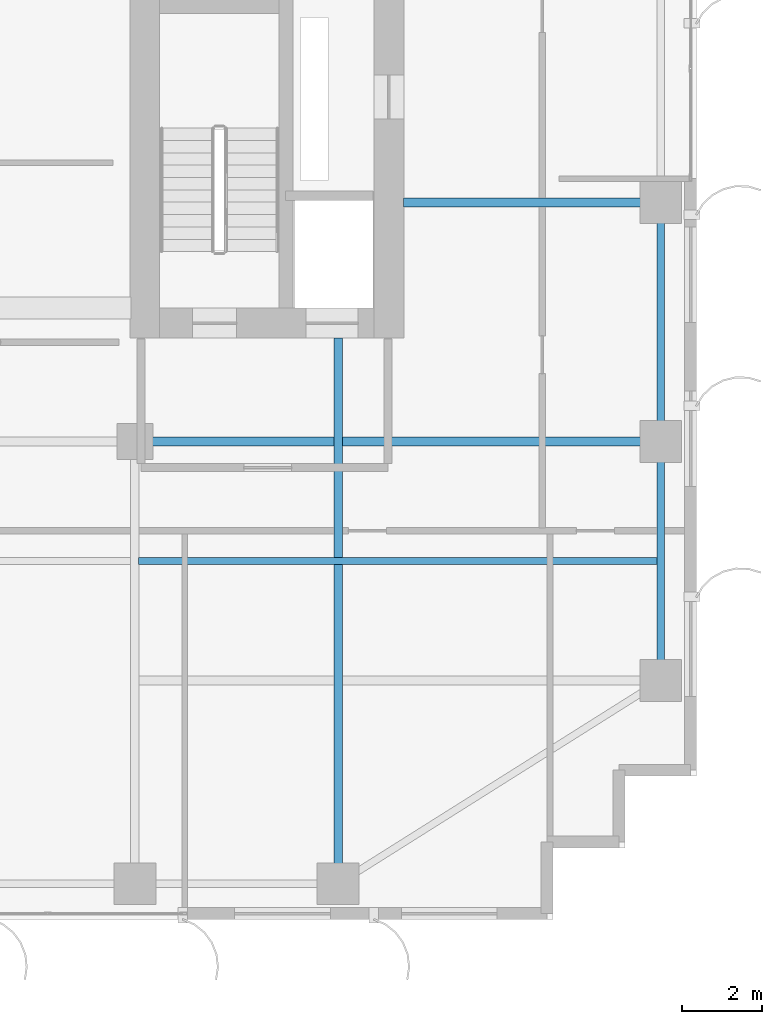
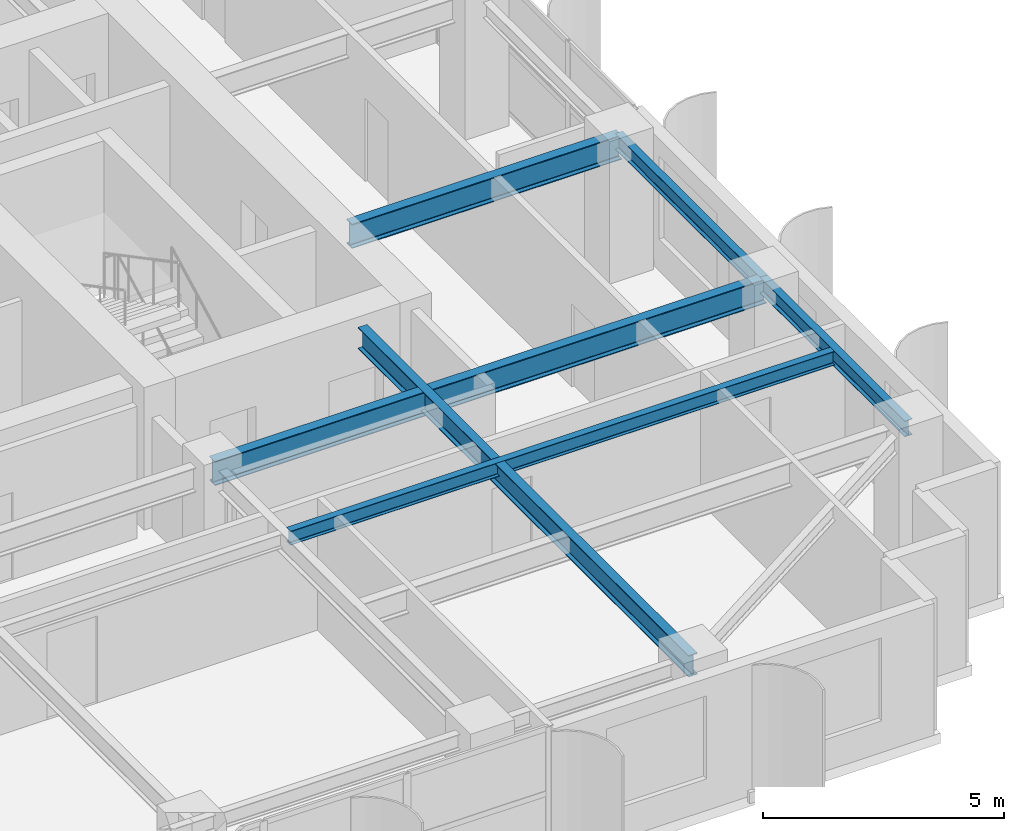
# One storey, part 10 of 26: 6 beams.
"""IFC4 building model written with IfcOpenShell, lengths in metres."""

from ifc_helpers import new_model, si_unit, direction, frame, origin, origin_2d, place, context, subcontext, project, spatial, i_section, extrude, source, transform, mapped, material, material_profile, profile_set, type_object, element, save


model = new_model("IFC4")

# Units and contexts
model_context = context("Model", 3, precision=1e-05, world=origin(), true_north=direction((0.0, 1.0)))
body_context = subcontext(model_context, "Body", "Model", "MODEL_VIEW")
ifc_project = project(units=[si_unit("LENGTHUNIT", "METRE"), si_unit("AREAUNIT", "SQUARE_METRE"), si_unit("VOLUMEUNIT", "CUBIC_METRE"), si_unit("PLANEANGLEUNIT", "RADIAN"), si_unit("MASSUNIT", "GRAM", prefix="KILO")], contexts=[model_context])

# Site, building, storey
site_placement = place(None, origin())
site = spatial("IfcSite", under=ifc_project, at=site_placement, CompositionType="ELEMENT")
building_placement = place(site_placement, origin())
building = spatial("IfcBuilding", under=site, at=building_placement, Name="Khoralis Quay Care Tower", CompositionType="ELEMENT")
storey_placement = place(building_placement, frame((0.0, 0.0, 126.89990234375)))
storey = spatial("IfcBuildingStorey", under=building, at=storey_placement, Name="L33", CompositionType="ELEMENT", Elevation=126.89990234375)

# Beams
ifc_material = material(Name="Steel S355", Category="steel")
ifc_material_profile_1 = material_profile(ifc_material, i_section(OverallWidth=0.179931640625, OverallDepth=0.39990234375, WebThickness=0.008544921875, FlangeThickness=0.013427734375, FilletRadius=0.02099609375, at=origin_2d()), Name="Steel S355")
ifc_profile_set_1 = profile_set([ifc_material_profile_1], Name="Steel S355")
beam_type_1 = type_object("IfcBeamType", Name="BM-IPE400", PredefinedType="SPANDREL", material=ifc_profile_set_1)
shared_shape_1 = source(origin(), body_context, "Body", "SweptSolid", [
    extrude(i_section(OverallWidth=0.179931640625, OverallDepth=0.39990234375, WebThickness=0.008544921875, FlangeThickness=0.013427734375, FilletRadius=0.02099609375, at=origin_2d()), origin(), (0.0, 0.0, 1.0), 6.0),
])
for number, where, z_axis, x_axis, name in (
    (1, (44.10009765625, 6.0, 3.14013671875), (0.0, 1.0, 0.0), (-1.0, 0.0, 0.0), "BM-TSP-L33-16"),
    (2, (44.10009765625, 12.0, 3.14013671875), (0.0, 1.0, 0.0), (-1.0, 0.0, 0.0), "BM-TSP-L33-17"),
):
    element("IfcBeam", number, at=place(storey_placement, frame(where, z_axis=z_axis, x_axis=x_axis)), inside=storey, type_object=beam_type_1, Name=name, PredefinedType="SPANDREL", context=body_context, shape_type="MappedRepresentation", body=[
        mapped(shared_shape_1, transform((0.0, 0.0, 0.0), scale=1.0)),
    ])
ifc_material_profile_2 = material_profile(ifc_material, i_section(OverallWidth=0.22998046875, OverallDepth=0.616943359375, WebThickness=0.01318359375, FlangeThickness=0.022216796875, FilletRadius=0.01806640625, at=origin_2d()), Name="Steel S355")
ifc_profile_set_2 = profile_set([ifc_material_profile_2], Name="Steel S355")
beam_type_2 = type_object("IfcBeamType", Name="BM-W610X140", PredefinedType="BEAM", material=ifc_profile_set_2)
shared_shape_2 = source(origin(), body_context, "Body", "SweptSolid", [
    extrude(i_section(OverallWidth=0.22998046875, OverallDepth=0.616943359375, WebThickness=0.01318359375, FlangeThickness=0.022216796875, FilletRadius=0.01806640625, at=origin_2d()), origin(), (0.0, 0.0, 1.0), 13.2001953125),
])
beam_1_placement = place(storey_placement, frame((30.89990234375, 12.0, 3.031494140625), z_axis=(1.0, 0.0, 0.0), x_axis=(0.0, 1.0, 0.0)))
element("IfcBeam", 3, at=beam_1_placement, inside=storey, type_object=beam_type_2, Name="BM-TGXE-L33-120", PredefinedType="BEAM", context=body_context, shape_type="MappedRepresentation", body=[
    mapped(shared_shape_2, transform((0.0, 0.0, 0.0), scale=1.0)),
])
shared_shape_3 = source(origin(), body_context, "Body", "SweptSolid", [
    extrude(i_section(OverallWidth=0.22998046875, OverallDepth=0.616943359375, WebThickness=0.01318359375, FlangeThickness=0.022216796875, FilletRadius=0.01806640625, at=origin_2d()), origin(), (0.0, 0.0, 1.0), 6.4521484375),
])
beam_2_placement = place(storey_placement, frame((37.64794921875, 18.0, 3.031494140625), z_axis=(1.0, 0.0, 0.0), x_axis=(0.0, 1.0, 0.0)))
element("IfcBeam", 4, at=beam_2_placement, inside=storey, type_object=beam_type_2, Name="BM-TGXE-L33-180", PredefinedType="BEAM", context=body_context, shape_type="MappedRepresentation", body=[
    mapped(shared_shape_3, transform((0.0, 0.0, 0.0), scale=1.0)),
])
ifc_material_profile_3 = material_profile(ifc_material, i_section(OverallWidth=0.2119140625, OverallDepth=0.5439453125, WebThickness=0.01318359375, FlangeThickness=0.021240234375, FilletRadius=0.01611328125, at=origin_2d()), Name="Steel S355")
ifc_profile_set_3 = profile_set([ifc_material_profile_3], Name="Steel S355")
beam_type_3 = type_object("IfcBeamType", Name="BM-W530X123", PredefinedType="BEAM", material=ifc_profile_set_3)
shared_shape_4 = source(origin(), body_context, "Body", "SweptSolid", [
    extrude(i_section(OverallWidth=0.2119140625, OverallDepth=0.5439453125, WebThickness=0.01318359375, FlangeThickness=0.021240234375, FilletRadius=0.01611328125, at=origin_2d()), origin(), (0.0, 0.0, 1.0), 13.7021484375),
])
beam_3_placement = place(storey_placement, frame((36.0, 0.89990234375, 3.068115234375), z_axis=(0.0, 1.0, 0.0), x_axis=(-1.0, 0.0, 0.0)))
element("IfcBeam", 5, at=beam_3_placement, inside=storey, type_object=beam_type_3, Name="BM-TGYS-L33-360", PredefinedType="BEAM", context=body_context, shape_type="MappedRepresentation", body=[
    mapped(shared_shape_4, transform((0.0, 0.0, 0.0), scale=1.0)),
])
ifc_material_profile_4 = material_profile(ifc_material, i_section(OverallWidth=0.1708984375, OverallDepth=0.35498046875, WebThickness=0.007080078125, FlangeThickness=0.01171875, FilletRadius=0.012939453125, at=origin_2d()), Name="Steel S355")
ifc_profile_set_4 = profile_set([ifc_material_profile_4], Name="Steel S355")
beam_type_4 = type_object("IfcBeamType", Name="BM-W360X51", PredefinedType="JOIST", material=ifc_profile_set_4)
shared_shape_5 = source(origin(), body_context, "Body", "SweptSolid", [
    extrude(i_section(OverallWidth=0.1708984375, OverallDepth=0.35498046875, WebThickness=0.007080078125, FlangeThickness=0.01171875, FilletRadius=0.012939453125, at=origin_2d()), origin(), (0.0, 0.0, 1.0), 13.030029296875),
])
beam_4_placement = place(storey_placement, frame((30.993896484375, 9.0, 3.16259765625), z_axis=(1.0, 0.0, 0.0), x_axis=(0.0, 1.0, 0.0)))
element("IfcBeam", 6, at=beam_4_placement, inside=storey, type_object=beam_type_4, Name="BM-TJS-L33-26", PredefinedType="JOIST", context=body_context, shape_type="MappedRepresentation", body=[
    mapped(shared_shape_5, transform((0.0, 0.0, 0.0), scale=1.0)),
])

save(model, "model.ifc")
